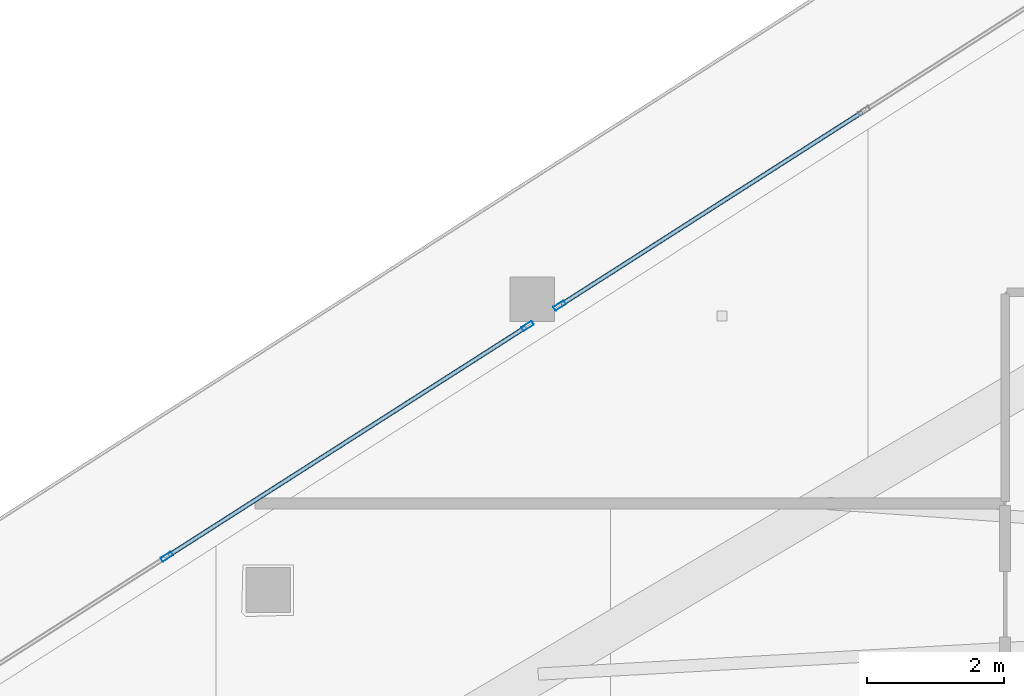
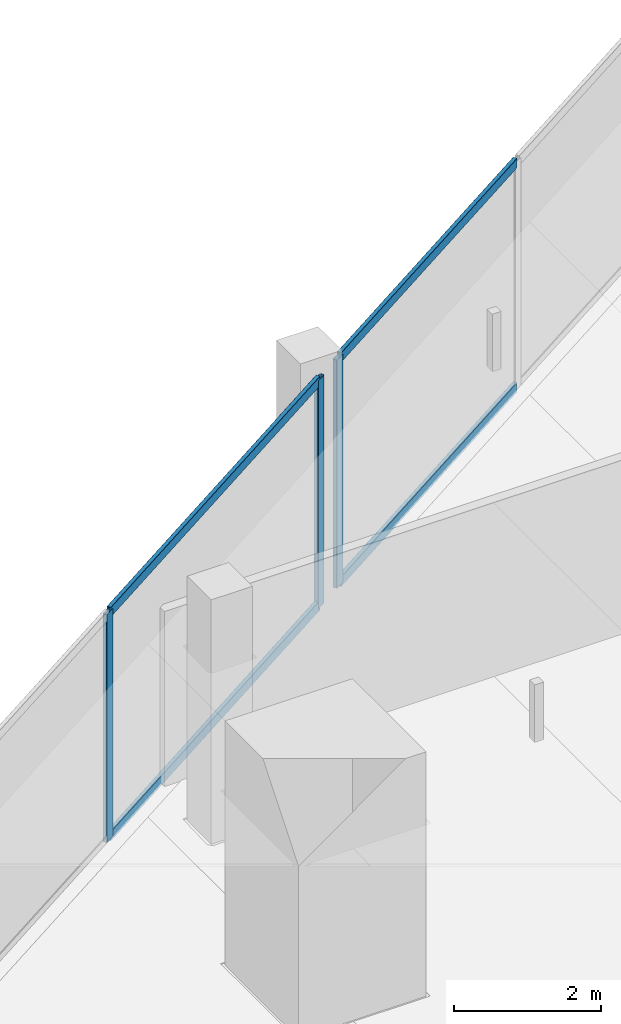
# One storey, part 14 of 37: 7 members, 2 elements without a shape of their own.
"""IFC4 building model written with IfcOpenShell, lengths in metres."""

from ifc_helpers import new_model, si_unit, direction, frame, origin, origin_2d, place, context, subcontext, project, spatial, hollow_rectangle, extrude, material, layer, layer_set, material_profile, profile_set, type_object, element, aggregate, save


model = new_model("IFC4")

# Units and contexts
model_context = context("Model", 3, precision=1e-05, world=origin(), true_north=direction((0.0, 1.0)))
body_context = subcontext(model_context, "Body", "Model", "MODEL_VIEW")
ifc_project = project(units=[si_unit("LENGTHUNIT", "METRE"), si_unit("AREAUNIT", "SQUARE_METRE"), si_unit("VOLUMEUNIT", "CUBIC_METRE"), si_unit("PLANEANGLEUNIT", "RADIAN"), si_unit("MASSUNIT", "GRAM", prefix="KILO")], contexts=[model_context])

# Site, building, storey
site_placement = place(None, origin())
site = spatial("IfcSite", under=ifc_project, at=site_placement, CompositionType="ELEMENT")
building_placement = place(site_placement, origin())
building = spatial("IfcBuilding", under=site, at=building_placement, Name="Qorvath Tower", CompositionType="ELEMENT")
storey_placement = place(building_placement, frame((0.0, 0.0, 184.800048828125)))
storey = spatial("IfcBuildingStorey", under=building, at=storey_placement, Name="L42", CompositionType="ELEMENT", Elevation=184.800048828125)

# Curtain wall, member
ifc_material_1 = material(Name="Anodised aluminium and triple low-E glass", Category="aluminium")
ifc_layer = layer(ifc_material_1, 0.179931640625)
ifc_layer_set = layer_set([ifc_layer], Name="CW-SYS-3")
curtain_wall_type = type_object("IfcCurtainWallType", Name="CW-SYS-3", PredefinedType="NOTDEFINED", material=ifc_layer_set)
curtain_wall_1_placement = place(storey_placement, origin())
curtain_wall_1 = element("IfcCurtainWall", 1, at=curtain_wall_1_placement, inside=storey, type_object=curtain_wall_type, Name="Curtain Wall CW-3 CW-T-L42-16.2", PredefinedType="NOTDEFINED")
ifc_material_2 = material(Name="Anodised aluminium 6063-T6", Category="aluminium")
ifc_material_profile_1 = material_profile(ifc_material_2, hollow_rectangle(XDim=0.06494140625, YDim=0.179931640625, WallThickness=0.00341796875, InnerFilletRadius=0.00341796875, OuterFilletRadius=0.007080078125, at=origin_2d()), Name="CWM 180x65")
ifc_profile_set_1 = profile_set([ifc_material_profile_1], Name="Anodised aluminium 6063-T6")
member_type_1 = type_object("IfcMemberType", Name="CWM-180", PredefinedType="MULLION", material=ifc_profile_set_1)
member_1_placement = place(storey_placement, frame((-44.3388671875, 10.56298828125, 0.0), z_axis=(0.0, 0.0, 1.0), x_axis=(0.538532984504, -0.842604429493, 0.0)))
member_1 = element("IfcMember", 2, at=member_1_placement, type_object=member_type_1, Name="CW-3 mullion 4", PredefinedType="MULLION", context=body_context, shape_type="SweptSolid", body=[
    extrude(hollow_rectangle(XDim=0.06494140625, YDim=0.179931640625, WallThickness=0.00341796875, InnerFilletRadius=0.00341796875, OuterFilletRadius=0.007080078125, at=origin_2d()), origin(), (0.0, 0.0, 1.0), 3.780029296875),
])

# Curtain wall, members
curtain_wall_2_placement = place(storey_placement, origin())
curtain_wall_2 = element("IfcCurtainWall", 3, at=curtain_wall_2_placement, inside=storey, type_object=curtain_wall_type, Name="Curtain Wall CW-3 CW-T-L42-16.3", PredefinedType="NOTDEFINED")
member_2_placement = place(storey_placement, frame((-44.805419921875, 10.2646484375, 0.0), z_axis=(0.0, 0.0, 1.0), x_axis=(0.538528229621, -0.842607468458, 0.0)))
member_2 = element("IfcMember", 4, at=member_2_placement, type_object=member_type_1, Name="CW-3 mullion 1", PredefinedType="MULLION", context=body_context, shape_type="SweptSolid", body=[
    extrude(hollow_rectangle(XDim=0.06494140625, YDim=0.179931640625, WallThickness=0.00341796875, InnerFilletRadius=0.00341796875, OuterFilletRadius=0.007080078125, at=origin_2d()), origin(), (0.0, 0.0, 1.0), 3.780029296875),
])
member_3_placement = place(storey_placement, frame((-50.052978515625, 6.910888671875, 0.0), z_axis=(0.0, 0.0, 1.0), x_axis=(0.538528229621, -0.842607468458, 0.0)))
member_3 = element("IfcMember", 5, at=member_3_placement, type_object=member_type_1, Name="CW-3 mullion 2", PredefinedType="MULLION", context=body_context, shape_type="SweptSolid", body=[
    extrude(hollow_rectangle(XDim=0.06494140625, YDim=0.179931640625, WallThickness=0.00341796875, InnerFilletRadius=0.00341796875, OuterFilletRadius=0.007080078125, at=origin_2d()), origin(), (0.0, 0.0, 1.0), 3.780029296875),
])

# Member
ifc_material_3 = material(Name="Anodised aluminium 6063-T6", Category="aluminium")
ifc_material_profile_2 = material_profile(ifc_material_3, hollow_rectangle(XDim=0.06494140625, YDim=0.159912109375, WallThickness=0.00341796875, InnerFilletRadius=0.00341796875, OuterFilletRadius=0.007080078125, at=origin_2d()), Name="CWT 160x65")
ifc_profile_set_2 = profile_set([ifc_material_profile_2], Name="Anodised aluminium 6063-T6")
member_type_2 = type_object("IfcMemberType", Name="CWT-160", PredefinedType="USERDEFINED", material=ifc_profile_set_2)
member_4_placement = place(storey_placement, frame((-39.93701171875, 13.376220703125, 0.032470703125), z_axis=(-0.842602608378, -0.538535833863, 0.0), x_axis=(0.538535833863, -0.842602608378, 0.0)))
member_4 = element("IfcMember", 6, at=member_4_placement, type_object=member_type_2, Name="CW-3 transom 3.1", ObjectType="TRANSOM", PredefinedType="USERDEFINED", context=body_context, shape_type="SweptSolid", body=[
    extrude(hollow_rectangle(XDim=0.06494140625, YDim=0.159912109375, WallThickness=0.00341796875, InnerFilletRadius=0.00341796875, OuterFilletRadius=0.007080078125, at=origin_2d()), origin(), (0.0, 0.0, 1.0), 5.191650390625),
])

member_5_placement = place(storey_placement, frame((-39.93701171875, 13.376220703125, 3.74755859375), z_axis=(-0.842602608378, -0.538535833863, 0.0), x_axis=(0.538535833863, -0.842602608378, 0.0)))
member_5 = element("IfcMember", 7, at=member_5_placement, type_object=member_type_2, Name="CW-3 transom 3.2", ObjectType="TRANSOM", PredefinedType="USERDEFINED", context=body_context, shape_type="SweptSolid", body=[
    extrude(hollow_rectangle(XDim=0.06494140625, YDim=0.159912109375, WallThickness=0.00341796875, InnerFilletRadius=0.00341796875, OuterFilletRadius=0.007080078125, at=origin_2d()), origin(), (0.0, 0.0, 1.0), 5.191650390625),
])

aggregate(curtain_wall_1, [member_1, member_4, member_5])

member_6_placement = place(storey_placement, frame((-44.832763671875, 10.247314453125, 0.032470703125), z_axis=(-0.842609378204, -0.538525241528, 0.0), x_axis=(0.538525241528, -0.842609378204, 0.0)))
member_6 = element("IfcMember", 8, at=member_6_placement, type_object=member_type_2, Name="CW-3 transom 1.1", ObjectType="TRANSOM", PredefinedType="USERDEFINED", context=body_context, shape_type="SweptSolid", body=[
    extrude(hollow_rectangle(XDim=0.06494140625, YDim=0.159912109375, WallThickness=0.00341796875, InnerFilletRadius=0.00341796875, OuterFilletRadius=0.007080078125, at=origin_2d()), origin(), (0.0, 0.0, 1.0), 6.162841796875),
])

member_7_placement = place(storey_placement, frame((-44.832763671875, 10.247314453125, 3.74755859375), z_axis=(-0.842609378204, -0.538525241528, 0.0), x_axis=(0.538525241528, -0.842609378204, 0.0)))
member_7 = element("IfcMember", 9, at=member_7_placement, type_object=member_type_2, Name="CW-3 transom 1.2", ObjectType="TRANSOM", PredefinedType="USERDEFINED", context=body_context, shape_type="SweptSolid", body=[
    extrude(hollow_rectangle(XDim=0.06494140625, YDim=0.159912109375, WallThickness=0.00341796875, InnerFilletRadius=0.00341796875, OuterFilletRadius=0.007080078125, at=origin_2d()), origin(), (0.0, 0.0, 1.0), 6.162841796875),
])

aggregate(curtain_wall_2, [member_2, member_3, member_6, member_7])

save(model, "model.ifc")
